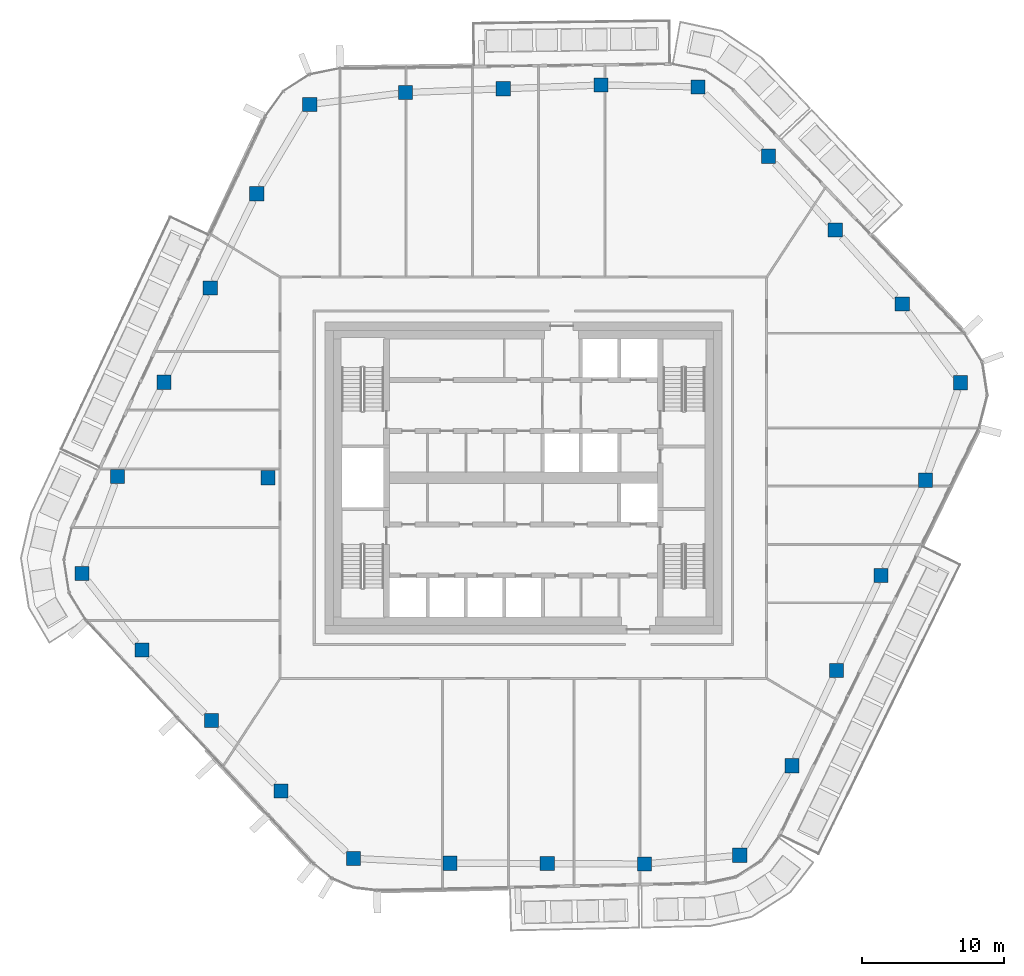
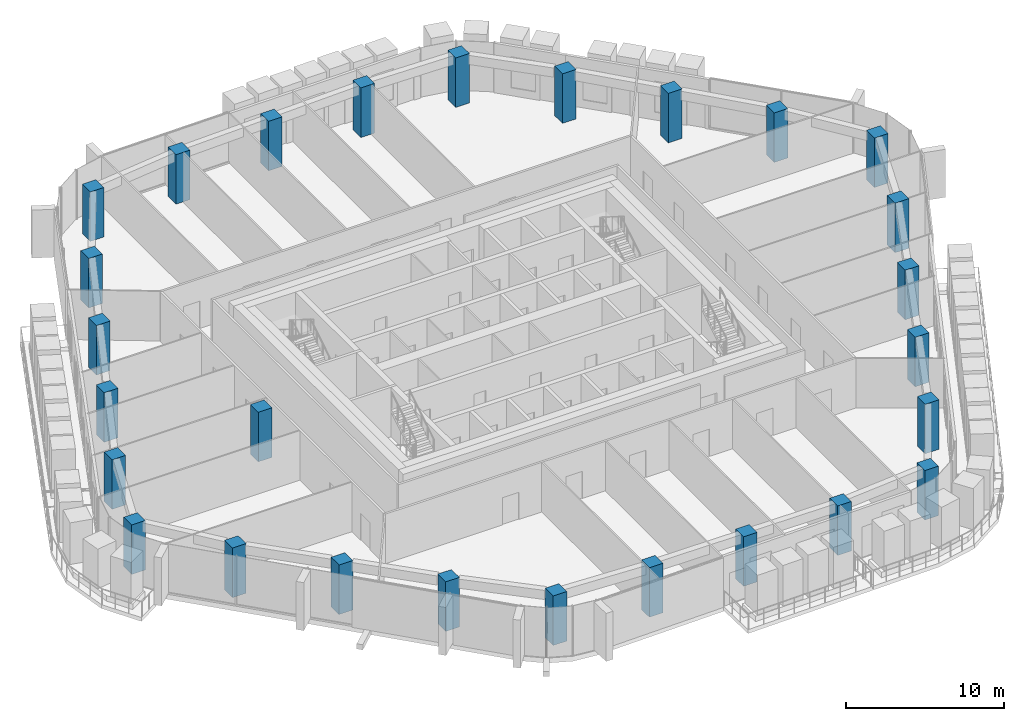
# One storey, part 1 of 23: 27 columns.
"""IFC4 building model written with IfcOpenShell, lengths in metres."""

from ifc_helpers import new_model, si_unit, direction, frame, origin, origin_2d, place, context, subcontext, project, spatial, rectangle, extrude, material, material_profile, profile_set, type_object, element, save


model = new_model("IFC4")

# Units and contexts
model_context = context("Model", 3, precision=1e-05, world=origin(), true_north=direction((0.0, 1.0)))
body_context = subcontext(model_context, "Body", "Model", "MODEL_VIEW")
ifc_project = project(units=[si_unit("LENGTHUNIT", "METRE"), si_unit("AREAUNIT", "SQUARE_METRE"), si_unit("VOLUMEUNIT", "CUBIC_METRE"), si_unit("PLANEANGLEUNIT", "RADIAN"), si_unit("MASSUNIT", "GRAM", prefix="KILO")], contexts=[model_context])

# Site, building, storey
site_placement = place(None, origin())
site = spatial("IfcSite", under=ifc_project, at=site_placement, CompositionType="ELEMENT")
building_placement = place(site_placement, origin())
building = spatial("IfcBuilding", under=site, at=building_placement, Name="Dongbaek Canopy Tower", CompositionType="ELEMENT")
storey_placement = place(building_placement, frame((0.0, 0.0, 336.199951171875)))
storey = spatial("IfcBuildingStorey", under=building, at=storey_placement, Name="L72", CompositionType="ELEMENT", Elevation=336.199951171875)

# Columns
ifc_material = material(Name="Concrete C60", Category="concrete")
ifc_material_profile = material_profile(ifc_material, rectangle(XDim=1.0, YDim=1.0, at=origin_2d()), Name="RC COLUMN 1000x1000 C60")
ifc_profile_set = profile_set([ifc_material_profile], Name="Concrete C60")
column_type = type_object("IfcColumnType", Name="RC COLUMN 1000x1000 C60", PredefinedType="COLUMN", material=ifc_profile_set)
for number, where, z_axis, x_axis, name in (
    (1, (15.251953125, -26.60693359375, 0.0), (0.0, 0.0, 1.0), (1.0, 0.0, 0.0), "COL:CZ5-01:L72"),
    (2, (8.533935546875, -27.22705078125, 0.0), (0.0, 0.0, 1.0), (1.0, 0.0, 0.0), "COL:CZ5-02:L72"),
    (3, (1.68310546875, -27.197021484375, 0.0), (0.0, 0.0, 1.0), (1.0, 0.0, 0.0), "COL:CZ5-03:L72"),
    (4, (-5.166015625, -27.1669921875, 0.0), (0.0, 0.0, 1.0), (1.0, 0.0, 0.0), "COL:CZ5-04:L72"),
    (5, (-11.985107421875, -26.8310546875, 0.0), (0.0, 0.0, 1.0), (1.0, 0.0, 0.0), "COL:CZ5-05:L72"),
    (6, (-17.083984375, -22.089111328125, 0.0), (0.0, 0.0, 1.0), (1.0, 0.0, 0.0), "COL:CZ5-06:L72"),
    (7, (-21.986083984375, -17.112060546875, 0.0), (0.0, 0.0, 1.0), (1.0, 0.0, 0.0), "COL:CZ5-07:L72"),
    (8, (-26.888916015625, -12.134033203125, 0.0), (0.0, 0.0, 1.0), (1.0, 0.0, 0.0), "COL:CZ5-08:L72"),
    (9, (-31.12890625, -6.7451171875, 0.0), (0.0, 0.0, 1.0), (1.0, 0.0, 0.0), "COL:CZ5-09:L72"),
    (10, (-28.616943359375, 0.0859375, 0.0), (0.0, 0.0, 1.0), (1.0, 0.0, 0.0), "COL:CZ5-10:L72"),
    (11, (-25.346923828125, 6.735107421875, 0.0), (0.0, 0.0, 1.0), (1.0, 0.0, 0.0), "COL:CZ5-11:L72"),
    (12, (-22.075927734375, 13.384033203125, 0.0), (0.0, 0.0, 1.0), (1.0, 0.0, 0.0), "COL:CZ5-12:L72"),
    (13, (-18.805908203125, 20.031982421875, 0.0), (0.0, 0.0, 1.0), (1.0, 0.0, 0.0), "COL:CZ5-13:L72"),
    (14, (-15.06201171875, 26.321044921875, 0.0), (0.0, 0.0, 1.0), (1.0, 0.0, 0.0), "COL:CZ5-14:L72"),
    (15, (-8.30908203125, 27.1640625, 0.0), (0.0, 0.0, 1.0), (1.0, 0.0, 0.0), "COL:CZ5-15:L72"),
    (16, (-1.41796875, 27.427978515625, 0.0), (0.0, 0.0, 1.0), (1.0, 0.0, 0.0), "COL:CZ5-16:L72"),
    (17, (5.470947265625, 27.69189453125, 0.0), (0.0, 0.0, 1.0), (1.0, 0.0, 0.0), "COL:CZ5-17:L72"),
    (18, (12.31396484375, 27.56298828125, 0.0), (0.0, 0.0, 1.0), (1.0, 0.0, 0.0), "COL:CZ5-18:L72"),
    (19, (17.27587890625, 22.666015625, 0.0), (0.0, 0.0, 1.0), (1.0, 0.0, 0.0), "COL:CZ5-19:L72"),
    (20, (21.989990234375, 17.4619140625, 0.0), (0.0, 0.0, 1.0), (1.0, 0.0, 0.0), "COL:CZ5-20:L72"),
    (21, (26.702880859375, 12.257080078125, 0.0), (0.0, 0.0, 1.0), (1.0, 0.0, 0.0), "COL:CZ5-21:L72"),
    (22, (30.804931640625, 6.697998046875, 0.0), (0.0, 0.0, 1.0), (1.0, 0.0, 0.0), "COL:CZ5-22:L72"),
    (23, (28.35107421875, -0.169921875, 0.0), (0.0, 0.0, 1.0), (1.0, 0.0, 0.0), "COL:CZ5-23:L72"),
    (24, (25.2099609375, -6.87890625, 0.0), (0.0, 0.0, 1.0), (1.0, 0.0, 0.0), "COL:CZ5-24:L72"),
    (25, (22.068115234375, -13.587890625, 0.0), (0.0, 0.0, 1.0), (1.0, 0.0, 0.0), "COL:CZ5-25:L72"),
    (26, (18.925048828125, -20.2958984375, 0.0), (0.0, 0.0, 1.0), (1.0, 0.0, 0.0), "COL:CZ5-26:L72"),
    (27, (-18.0, 0.0, 0.0), (0.0, 0.0, 1.0), (1.0, 0.0, 0.0), "COL:CIZ5-01:L72"),
):
    element("IfcColumn", number, at=place(storey_placement, frame(where, z_axis=z_axis, x_axis=x_axis)), inside=storey, type_object=column_type, Name=name, PredefinedType="COLUMN", context=body_context, shape_type="SweptSolid", body=[
        extrude(rectangle(XDim=1.0, YDim=1.0, at=origin_2d()), origin(), (0.0, 0.0, 1.0), 3.820068359375),
    ])

save(model, "model.ifc")
